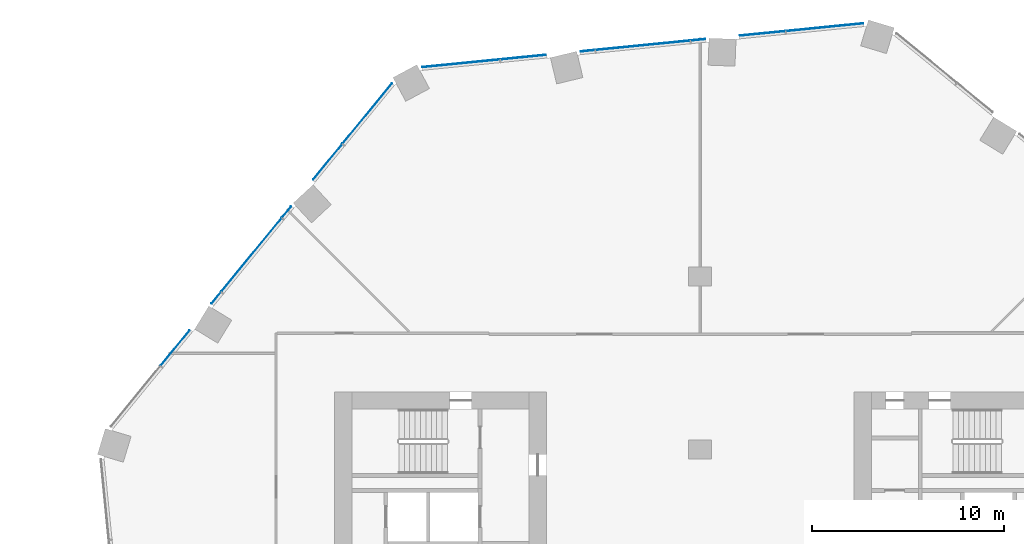
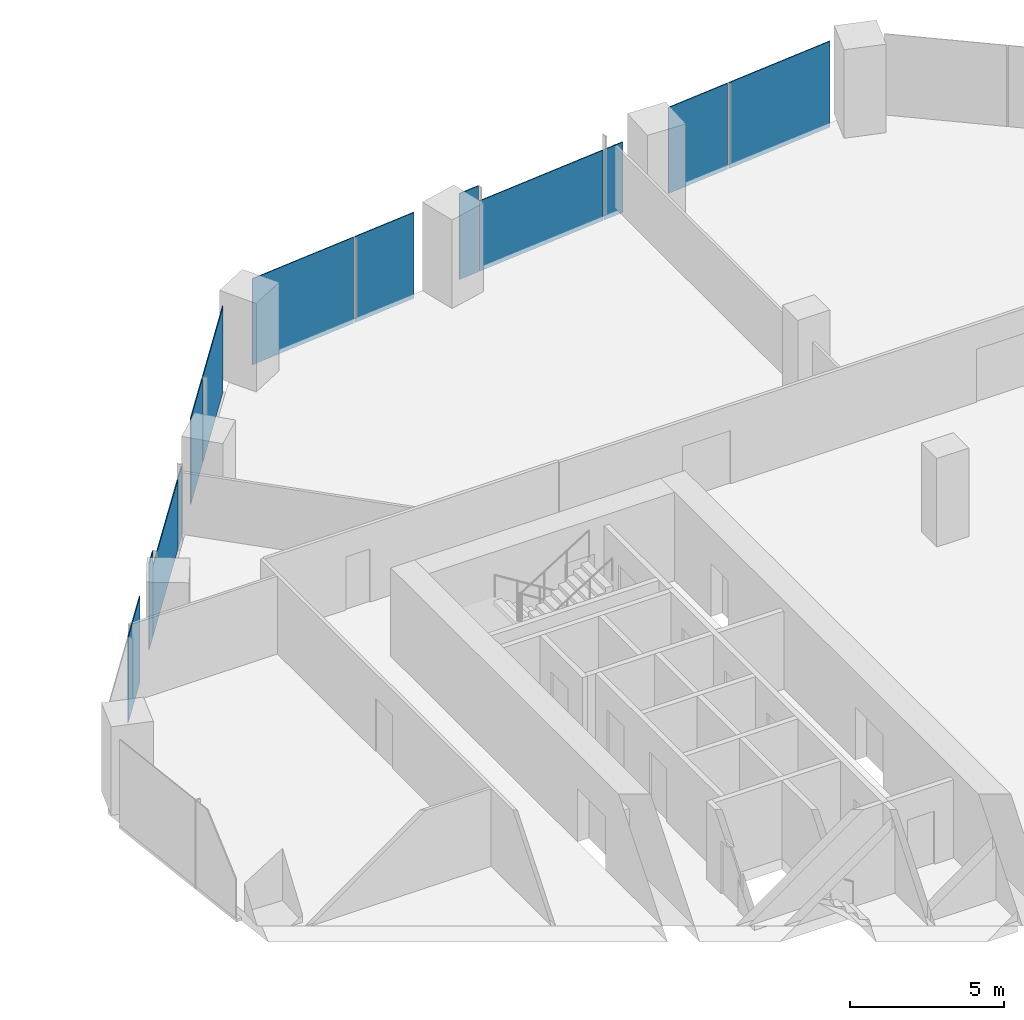
# One storey, part 25 of 33: 13 plates, 2 elements without a shape of their own.
"""IFC4 building model written with IfcOpenShell, lengths in metres."""

from ifc_helpers import new_model, si_unit, direction, frame, origin, origin_2d, place, context, subcontext, project, spatial, rectangle, extrude, material, layer, layer_set, type_object, element, aggregate, save


model = new_model("IFC4")

# Units and contexts
model_context = context("Model", 3, precision=1e-05, world=origin(), true_north=direction((0.0, 1.0)))
body_context = subcontext(model_context, "Body", "Model", "MODEL_VIEW")
ifc_project = project(units=[si_unit("LENGTHUNIT", "METRE"), si_unit("AREAUNIT", "SQUARE_METRE"), si_unit("VOLUMEUNIT", "CUBIC_METRE"), si_unit("PLANEANGLEUNIT", "RADIAN"), si_unit("MASSUNIT", "GRAM", prefix="KILO")], contexts=[model_context])

# Site, building, storey
site_placement = place(None, origin())
site = spatial("IfcSite", under=ifc_project, at=site_placement, CompositionType="ELEMENT")
building_placement = place(site_placement, origin())
building = spatial("IfcBuilding", under=site, at=building_placement, Name="Orlundy Tower", CompositionType="ELEMENT")
storey_placement = place(building_placement, frame((0.0, 0.0, 51.300048828125)))
storey = spatial("IfcBuildingStorey", under=building, at=storey_placement, Name="L11", CompositionType="ELEMENT", Elevation=51.300048828125)

# Curtain wall, plates
ifc_material_1 = material(Name="Aluminium bronze anodised", Category="aluminium")
curtain_wall_type = type_object("IfcCurtainWallType", Name="CW1 wall", PredefinedType="NOTDEFINED", material=ifc_material_1)
curtain_wall_1_placement = place(storey_placement, origin())
curtain_wall_1 = element("IfcCurtainWall", 1, at=curtain_wall_1_placement, inside=storey, type_object=curtain_wall_type, Name="CW1 run 02", PredefinedType="NOTDEFINED")
ifc_material_2 = material(Name="Tinted glass", Category="glass")
ifc_layer = layer(ifc_material_2, 0.031982421875)
ifc_layer_set = layer_set([ifc_layer], Name="CW1 glass panel 32")
plate_type = type_object("IfcPlateType", Name="CW1 glass panel 32", PredefinedType="CURTAIN_PANEL", material=ifc_layer_set)
plate_1_placement = place(storey_placement, frame((-27.29345703125, 14.28271484375, -0.300048828125), z_axis=(0.0, 0.0, 1.0), x_axis=(0.633818264458, 0.773482002143, 0.0)))
plate_1 = element("IfcPlate", 2, at=plate_1_placement, type_object=plate_type, Name="CW1 panel", PredefinedType="CURTAIN_PANEL", context=body_context, shape_type="SweptSolid", body=[
    extrude(rectangle(XDim=2.35791015625, YDim=0.031982421875, at=origin_2d()), origin(), (0.0, 0.0, 1.0), 3.39990234375),
])
plate_2_placement = place(storey_placement, frame((-25.158203125, 16.888427734375, -0.300048828125), z_axis=(0.0, 0.0, 1.0), x_axis=(0.633818264458, 0.773482002143, 0.0)))
plate_2 = element("IfcPlate", 3, at=plate_2_placement, type_object=plate_type, Name="CW1 panel", PredefinedType="CURTAIN_PANEL", context=body_context, shape_type="SweptSolid", body=[
    extrude(rectangle(XDim=0.74560546875, YDim=0.031982421875, at=origin_2d()), origin(), (0.0, 0.0, 1.0), 3.39990234375),
])
plate_3_placement = place(storey_placement, frame((-23.330810546875, 19.118408203125, -0.2998046875), z_axis=(0.0, 0.0, 1.0), x_axis=(0.633818264458, 0.773482002143, 0.0)))
plate_3 = element("IfcPlate", 4, at=plate_3_placement, type_object=plate_type, Name="CW1 panel", PredefinedType="CURTAIN_PANEL", context=body_context, shape_type="SweptSolid", body=[
    extrude(rectangle(XDim=4.92041015625, YDim=0.031982421875, at=origin_2d()), origin(), (0.0, 0.0, 1.0), 2.783935546875),
])
plate_4_placement = place(storey_placement, frame((-21.50341796875, 21.3486328125, -0.2998046875), z_axis=(0.0, 0.0, 1.0), x_axis=(0.633818264458, 0.773482002143, 0.0)))
plate_4 = element("IfcPlate", 5, at=plate_4_placement, type_object=plate_type, Name="CW1 panel", PredefinedType="CURTAIN_PANEL", context=body_context, shape_type="SweptSolid", body=[
    extrude(rectangle(XDim=0.74609375, YDim=0.031982421875, at=origin_2d()), origin(), (0.0, 0.0, 1.0), 2.783935546875),
])
plate_5_placement = place(storey_placement, frame((-19.3681640625, 23.954345703125, -0.300048828125), z_axis=(0.0, 0.0, 1.0), x_axis=(0.633818264458, 0.773482002143, 0.0)))
plate_5 = element("IfcPlate", 6, at=plate_5_placement, type_object=plate_type, Name="CW1 panel", PredefinedType="CURTAIN_PANEL", context=body_context, shape_type="SweptSolid", body=[
    extrude(rectangle(XDim=2.357421875, YDim=0.031982421875, at=origin_2d()), origin(), (0.0, 0.0, 1.0), 3.39990234375),
])
plate_6_placement = place(storey_placement, frame((-17.30908203125, 26.467041015625, -0.300048828125), z_axis=(0.0, 0.0, 1.0), x_axis=(0.633818264458, 0.773482002143, 0.0)))
plate_6 = element("IfcPlate", 7, at=plate_6_placement, type_object=plate_type, Name="CW1 panel", PredefinedType="CURTAIN_PANEL", context=body_context, shape_type="SweptSolid", body=[
    extrude(rectangle(XDim=4.0400390625, YDim=0.031982421875, at=origin_2d()), origin(), (0.0, 0.0, 1.0), 3.39990234375),
])
aggregate(curtain_wall_1, [plate_1, plate_2, plate_3, plate_4, plate_5, plate_6])

curtain_wall_2_placement = place(storey_placement, origin())
curtain_wall_2 = element("IfcCurtainWall", 8, at=curtain_wall_2_placement, inside=storey, type_object=curtain_wall_type, Name="CW1 run 03", PredefinedType="NOTDEFINED")
plate_7_placement = place(storey_placement, frame((-12.432373046875, 29.078125, -0.300048828125), z_axis=(0.0, 0.0, 1.0), x_axis=(0.995112991912, 0.098742763424, 0.0)))
plate_7 = element("IfcPlate", 9, at=plate_7_placement, type_object=plate_type, Name="CW1 panel", PredefinedType="CURTAIN_PANEL", context=body_context, shape_type="SweptSolid", body=[
    extrude(rectangle(XDim=4.03857421875, YDim=0.031982421875, at=origin_2d()), origin(), (0.0, 0.0, 1.0), 3.39990234375),
])
plate_8_placement = place(storey_placement, frame((-9.19970703125, 29.39892578125, -0.300048828125), z_axis=(0.0, 0.0, 1.0), x_axis=(0.995112991912, 0.098742763424, 0.0)))
plate_8 = element("IfcPlate", 10, at=plate_8_placement, type_object=plate_type, Name="CW1 panel", PredefinedType="CURTAIN_PANEL", context=body_context, shape_type="SweptSolid", body=[
    extrude(rectangle(XDim=2.3583984375, YDim=0.031982421875, at=origin_2d()), origin(), (0.0, 0.0, 1.0), 3.39990234375),
])
plate_9_placement = place(storey_placement, frame((-5.847412109375, 29.7314453125, -0.300048828125), z_axis=(0.0, 0.0, 1.0), x_axis=(0.995112991912, 0.098742763424, 0.0)))
plate_9 = element("IfcPlate", 11, at=plate_9_placement, type_object=plate_type, Name="CW1 panel", PredefinedType="CURTAIN_PANEL", context=body_context, shape_type="SweptSolid", body=[
    extrude(rectangle(XDim=0.7451171875, YDim=0.031982421875, at=origin_2d()), origin(), (0.0, 0.0, 1.0), 3.39990234375),
])
plate_10_placement = place(storey_placement, frame((-2.978759765625, 30.01611328125, -0.2998046875), z_axis=(0.0, 0.0, 1.0), x_axis=(0.995112991912, 0.098742763424, 0.0)))
plate_10 = element("IfcPlate", 12, at=plate_10_placement, type_object=plate_type, Name="CW1 panel", PredefinedType="CURTAIN_PANEL", context=body_context, shape_type="SweptSolid", body=[
    extrude(rectangle(XDim=4.92041015625, YDim=0.031982421875, at=origin_2d()), origin(), (0.0, 0.0, 1.0), 2.783935546875),
])
plate_11_placement = place(storey_placement, frame((-0.109619140625, 30.30078125, -0.2998046875), z_axis=(0.0, 0.0, 1.0), x_axis=(0.995112991912, 0.098742763424, 0.0)))
plate_11 = element("IfcPlate", 13, at=plate_11_placement, type_object=plate_type, Name="CW1 panel", PredefinedType="CURTAIN_PANEL", context=body_context, shape_type="SweptSolid", body=[
    extrude(rectangle(XDim=0.745849609375, YDim=0.031982421875, at=origin_2d()), origin(), (0.0, 0.0, 1.0), 2.783935546875),
])
plate_12_placement = place(storey_placement, frame((3.24267578125, 30.633544921875, -0.300048828125), z_axis=(0.0, 0.0, 1.0), x_axis=(0.995112991912, 0.098742763424, 0.0)))
plate_12 = element("IfcPlate", 14, at=plate_12_placement, type_object=plate_type, Name="CW1 panel", PredefinedType="CURTAIN_PANEL", context=body_context, shape_type="SweptSolid", body=[
    extrude(rectangle(XDim=2.357666015625, YDim=0.031982421875, at=origin_2d()), origin(), (0.0, 0.0, 1.0), 3.39990234375),
])
plate_13_placement = place(storey_placement, frame((6.47509765625, 30.954345703125, -0.300048828125), z_axis=(0.0, 0.0, 1.0), x_axis=(0.995112991912, 0.098742763424, 0.0)))
plate_13 = element("IfcPlate", 15, at=plate_13_placement, type_object=plate_type, Name="CW1 panel", PredefinedType="CURTAIN_PANEL", context=body_context, shape_type="SweptSolid", body=[
    extrude(rectangle(XDim=4.0390625, YDim=0.031982421875, at=origin_2d()), origin(), (0.0, 0.0, 1.0), 3.39990234375),
])
aggregate(curtain_wall_2, [plate_7, plate_8, plate_9, plate_10, plate_11, plate_12, plate_13])

save(model, "model.ifc")
